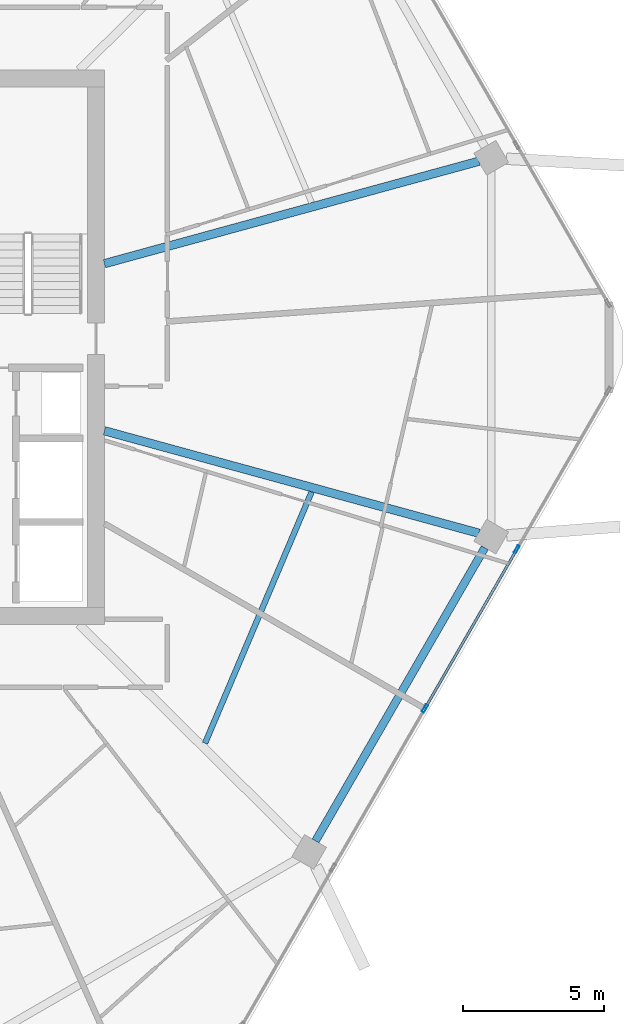
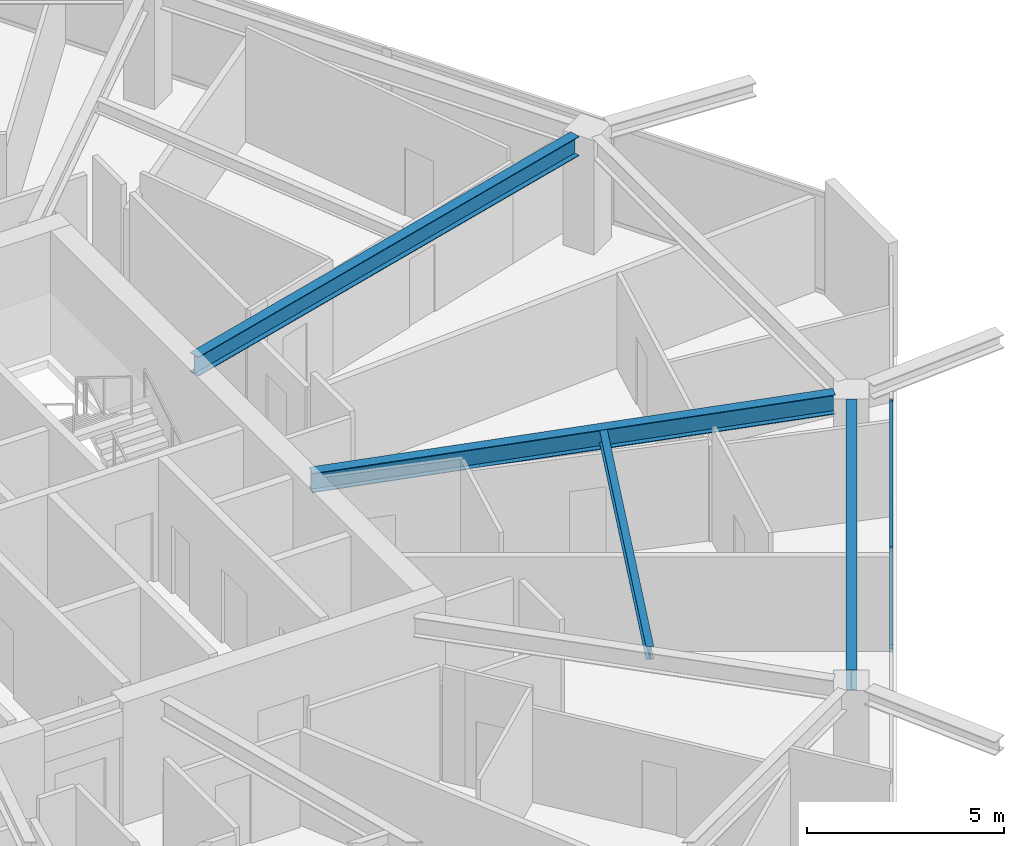
# One storey, part 9 of 26: 4 beams, 4 members, 1 element without a shape of its own.
"""IFC4 building model written with IfcOpenShell, lengths in metres."""

from ifc_helpers import new_model, si_unit, direction, frame, origin, origin_2d, place, context, subcontext, project, spatial, hollow_rectangle, i_section, extrude, material, material_profile, profile_set, type_object, element, aggregate, save


model = new_model("IFC4")

# Units and contexts
model_context = context("Model", 3, precision=1e-05, world=origin(), true_north=direction((0.0, 1.0)))
body_context = subcontext(model_context, "Body", "Model", "MODEL_VIEW")
ifc_project = project(units=[si_unit("LENGTHUNIT", "METRE"), si_unit("AREAUNIT", "SQUARE_METRE"), si_unit("VOLUMEUNIT", "CUBIC_METRE"), si_unit("PLANEANGLEUNIT", "RADIAN"), si_unit("MASSUNIT", "GRAM", prefix="KILO")], contexts=[model_context])

# Site, building, storey
site_placement = place(None, origin())
site = spatial("IfcSite", under=ifc_project, at=site_placement, CompositionType="ELEMENT")
building_placement = place(site_placement, origin())
building = spatial("IfcBuilding", under=site, at=building_placement, Name="Zuhravey Tower", CompositionType="ELEMENT")
storey_placement = place(building_placement, frame((0.0, 0.0, 242.60009765625)))
storey = spatial("IfcBuildingStorey", under=building, at=storey_placement, Name="L61", CompositionType="ELEMENT", Elevation=242.60009765625)

# Curtain wall, members
ifc_material_1 = material(Name="Thermally broken anodised aluminium", Category="aluminium")
curtain_wall_type = type_object("IfcCurtainWallType", Name="Zone 3-4 High-Rise Curtain Wall CW4", PredefinedType="NOTDEFINED", material=ifc_material_1)
curtain_wall_placement = place(storey_placement, origin())
curtain_wall = element("IfcCurtainWall", 1, at=curtain_wall_placement, inside=storey, type_object=curtain_wall_type, Name="L61 CW4 CW-L61-F6-1", PredefinedType="NOTDEFINED")
ifc_material_2 = material(Name="Anodised aluminium", Category="aluminium")
ifc_material_profile_1 = material_profile(ifc_material_2, hollow_rectangle(XDim=0.090087890625, YDim=0.284912109375, WallThickness=0.0048828125, at=origin_2d()), Name="ALU-RHS-90x285x5")
ifc_profile_set_1 = profile_set([ifc_material_profile_1], Name="Anodised aluminium")
member_type_1 = type_object("IfcMemberType", Name="Curtain-Wall Mullion 90x180", PredefinedType="MULLION", material=ifc_profile_set_1)
member_1_placement = place(storey_placement, frame((61.391845703125, 24.852783203125, 0.0), z_axis=(0.0, 0.0, 1.0), x_axis=(0.866024851021, -0.500000957414, 0.0)))
member_1 = element("IfcMember", 2, at=member_1_placement, type_object=member_type_1, Name="CW4 mullion 2", PredefinedType="MULLION", context=body_context, shape_type="SweptSolid", body=[
    extrude(hollow_rectangle(XDim=0.090087890625, YDim=0.284912109375, WallThickness=0.0048828125, at=origin_2d()), origin(), (0.0, 0.0, 1.0), 3.121826171875),
])
member_2_placement = place(storey_placement, frame((58.138671875, 19.21826171875, 0.0), z_axis=(0.0, 0.0, 1.0), x_axis=(0.866024851021, -0.500000957414, 0.0)))
member_2 = element("IfcMember", 3, at=member_2_placement, type_object=member_type_1, Name="CW4 mullion 3", PredefinedType="MULLION", context=body_context, shape_type="SweptSolid", body=[
    extrude(hollow_rectangle(XDim=0.090087890625, YDim=0.284912109375, WallThickness=0.0048828125, at=origin_2d()), origin(), (0.0, 0.0, 1.0), 3.121826171875),
])
ifc_material_profile_2 = material_profile(ifc_material_2, hollow_rectangle(XDim=0.090087890625, YDim=0.14990234375, WallThickness=0.0048828125, at=origin_2d()), Name="ALU-RHS-90x150x5")
ifc_profile_set_2 = profile_set([ifc_material_profile_2], Name="Anodised aluminium")
member_type_2 = type_object("IfcMemberType", Name="Curtain-Wall Transom 90x150", PredefinedType="USERDEFINED", material=ifc_profile_set_2)
member_3_placement = place(storey_placement, frame((61.369384765625, 24.81396484375, 0.044921875), z_axis=(-0.499998017366, -0.866026548456, 0.0), x_axis=(0.866026548456, -0.499998017366, 0.0)))
member_3 = element("IfcMember", 4, at=member_3_placement, type_object=member_type_2, Name="CW4 transom 2.1", ObjectType="TRANSOM", PredefinedType="USERDEFINED", context=body_context, shape_type="SweptSolid", body=[
    extrude(hollow_rectangle(XDim=0.090087890625, YDim=0.14990234375, WallThickness=0.0048828125, at=origin_2d()), origin(), (0.0, 0.0, 1.0), 6.41650390625),
])
member_4_placement = place(storey_placement, frame((61.369384765625, 24.81396484375, 3.076904296875), z_axis=(-0.499998017366, -0.866026548456, 0.0), x_axis=(0.866026548456, -0.499998017366, 0.0)))
member_4 = element("IfcMember", 5, at=member_4_placement, type_object=member_type_2, Name="CW4 transom 2.2", ObjectType="TRANSOM", PredefinedType="USERDEFINED", context=body_context, shape_type="SweptSolid", body=[
    extrude(hollow_rectangle(XDim=0.090087890625, YDim=0.14990234375, WallThickness=0.0048828125, at=origin_2d()), origin(), (0.0, 0.0, 1.0), 6.41650390625),
])
aggregate(curtain_wall, [member_1, member_2, member_3, member_4])

# Beams
ifc_material_3 = material(Name="Steel SM355", Category="steel")
ifc_material_profile_3 = material_profile(ifc_material_3, i_section(OverallWidth=0.280029296875, OverallDepth=0.6201171875, WebThickness=0.011962890625, FlangeThickness=0.02001953125, at=origin_2d()), Name="H-620x280x12x20")
ifc_profile_set_3 = profile_set([ifc_material_profile_3], Name="Steel SM355")
beam_type_1 = type_object("IfcBeamType", Name="Perimeter Ring Beam H620x280", PredefinedType="BEAM", material=ifc_profile_set_3)
beam_1_placement = place(storey_placement, frame((54.27001953125, 14.53759765625, 3.239990234375), z_axis=(0.500017744717, 0.866015158625, 0.0), x_axis=(-0.866015158625, 0.500017744717, 0.0)))
element("IfcBeam", 6, at=beam_1_placement, inside=storey, type_object=beam_type_1, Name="L61 PB3 BM-L61-PB-11", PredefinedType="BEAM", context=body_context, shape_type="SweptSolid", body=[
    extrude(i_section(OverallWidth=0.280029296875, OverallDepth=0.6201171875, WebThickness=0.011962890625, FlangeThickness=0.02001953125, at=origin_2d()), origin(), (0.0, 0.0, 1.0), 11.9755859375),
])
ifc_material_profile_4 = material_profile(ifc_material_3, i_section(OverallWidth=0.300048828125, OverallDepth=0.60009765625, WebThickness=0.011962890625, FlangeThickness=0.02001953125, at=origin_2d()), Name="H-600x300x12x20")
ifc_profile_set_4 = profile_set([ifc_material_profile_4], Name="Steel SM355")
beam_type_2 = type_object("IfcBeamType", Name="Radial Primary Girder H600x300", PredefinedType="BEAM", material=ifc_profile_set_4)
for number, where, z_axis, x_axis, name in (
    (7, (46.802978515625, 34.95556640625, 3.25), (0.964548913045, 0.26390413855, 0.0), (-0.26390413855, 0.964548913045, 0.0), "L61 RG3 BM-L61-RAD-01"),
    (8, (46.802978515625, 29.04443359375, 3.25), (0.964548913045, -0.26390413855, 0.0), (0.26390413855, 0.964548913045, 0.0), "L61 RG3 BM-L61-RAD-12"),
):
    element("IfcBeam", number, at=place(storey_placement, frame(where, z_axis=z_axis, x_axis=x_axis)), inside=storey, type_object=beam_type_2, Name=name, PredefinedType="BEAM", context=body_context, shape_type="SweptSolid", body=[
        extrude(i_section(OverallWidth=0.300048828125, OverallDepth=0.60009765625, WebThickness=0.011962890625, FlangeThickness=0.02001953125, at=origin_2d()), origin(), (0.0, 0.0, 1.0), 13.7314453125),
    ])
ifc_material_profile_5 = material_profile(ifc_material_3, i_section(OverallWidth=0.199951171875, OverallDepth=0.39990234375, WebThickness=0.008056640625, FlangeThickness=0.012939453125, at=origin_2d()), Name="H-400x200x8x13")
ifc_profile_set_5 = profile_set([ifc_material_profile_5], Name="Steel SM355")
beam_type_3 = type_object("IfcBeamType", Name="Secondary Floor Joist H400x200", PredefinedType="JOIST", material=ifc_profile_set_5)
beam_2_placement = place(storey_placement, frame((50.36083984375, 17.990966796875, 3.349853515625), z_axis=(0.390413493754, 0.920639616731, 0.0), x_axis=(-0.920639616731, 0.390413493754, 0.0)))
element("IfcBeam", 9, at=beam_2_placement, inside=storey, type_object=beam_type_3, Name="L61 SJ2 BM-L61-SJ-11-1", PredefinedType="JOIST", context=body_context, shape_type="SweptSolid", body=[
    extrude(i_section(OverallWidth=0.199951171875, OverallDepth=0.39990234375, WebThickness=0.008056640625, FlangeThickness=0.012939453125, at=origin_2d()), origin(), (0.0, 0.0, 1.0), 9.656494140625),
])

save(model, "model.ifc")
